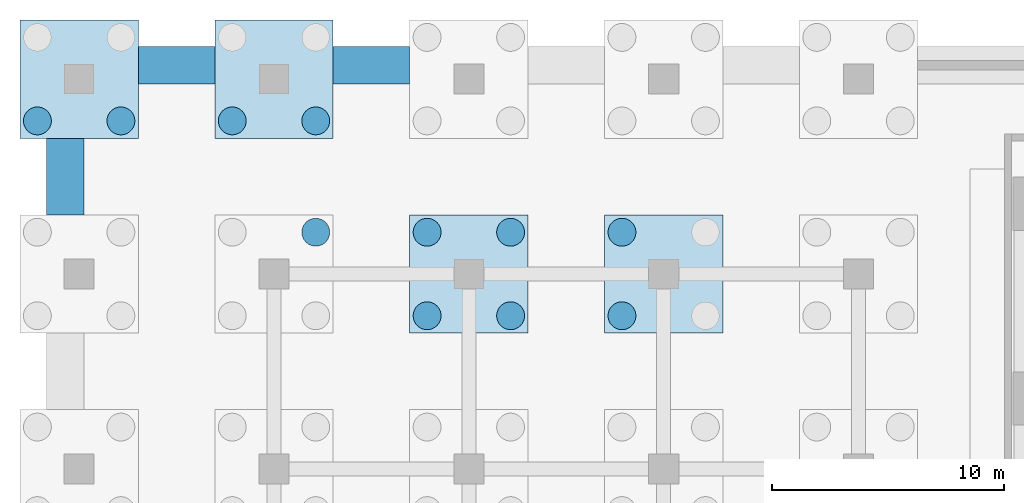
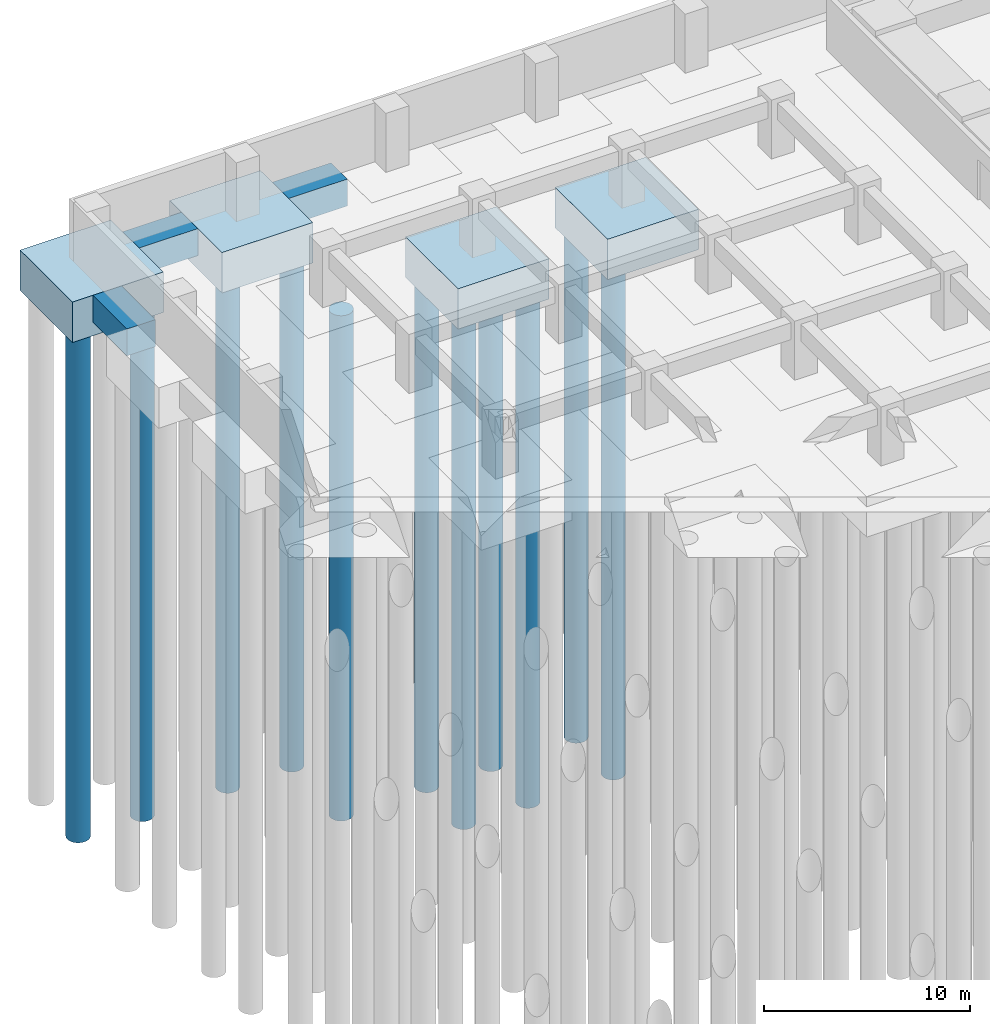
# One storey, part 35 of 73: 11 piles, 7 footings.
"""IFC4 building model written with IfcOpenShell, lengths in metres."""

from ifc_helpers import new_model, si_unit, direction, frame, origin, origin_2d, place, context, subcontext, project, spatial, polyline, circle, outline, extrude, material, material_profile, profile_set, type_object, element, save


model = new_model("IFC4")

# Units and contexts
model_context = context("Model", 3, precision=1e-05, world=origin(), true_north=direction((0.0, 1.0)))
body_context = subcontext(model_context, "Body", "Model", "MODEL_VIEW")
ifc_project = project(units=[si_unit("LENGTHUNIT", "METRE"), si_unit("AREAUNIT", "SQUARE_METRE"), si_unit("VOLUMEUNIT", "CUBIC_METRE"), si_unit("PLANEANGLEUNIT", "RADIAN"), si_unit("MASSUNIT", "GRAM", prefix="KILO")], contexts=[model_context])

# Site, building, storey
site_placement = place(None, origin())
site = spatial("IfcSite", under=ifc_project, at=site_placement, CompositionType="ELEMENT")
building_placement = place(site_placement, origin())
building = spatial("IfcBuilding", under=site, at=building_placement, Name="Impinga Residences", CompositionType="ELEMENT")
storey_placement = place(building_placement, frame((0.0, 0.0, -10.5)))
storey = spatial("IfcBuildingStorey", under=building, at=storey_placement, Name="B3", CompositionType="ELEMENT", Elevation=-10.5)

# Piles
ifc_material_1 = material(Name="Concrete C35/45", Category="concrete")
ifc_material_profile = material_profile(ifc_material_1, circle(Radius=0.60009765625, at=origin_2d()), Name="D1200")
ifc_profile_set = profile_set([ifc_material_profile], Name="Concrete C35/45")
pile_type = type_object("IfcPileType", Name="BP2 bored pile D1200", PredefinedType="BORED", material=ifc_profile_set)
pile_1_placement = place(storey_placement, frame((-52.199951171875, 48.60009765625, -2.39990234375), z_axis=(0.0, 0.0, -1.0), x_axis=(1.0, 0.0, 0.0)))
element("IfcPile", 1, at=pile_1_placement, inside=storey, type_object=pile_type, Name="Cap pile BP2 1/M-1", PredefinedType="BORED", context=body_context, shape_type="SweptSolid", body=[
    extrude(outline(polyline([(0.60009765625, 0.0), (0.59716796875, 0.058837890625), (0.58837890625, 0.116943359375), (0.57421875, 0.174072265625), (0.554443359375, 0.2294921875), (0.529052734375, 0.282958984375), (0.498779296875, 0.333251953125), (0.4638671875, 0.380615234375), (0.42431640625, 0.42431640625), (0.380615234375, 0.4638671875), (0.333251953125, 0.498779296875), (0.282958984375, 0.529052734375), (0.2294921875, 0.554443359375), (0.174072265625, 0.57421875), (0.116943359375, 0.58837890625), (0.058837890625, 0.59716796875), (0.0, 0.60009765625), (-0.058837890625, 0.59716796875), (-0.116943359375, 0.58837890625), (-0.174072265625, 0.57421875), (-0.2294921875, 0.554443359375), (-0.282958984375, 0.529052734375), (-0.333251953125, 0.498779296875), (-0.380615234375, 0.4638671875), (-0.42431640625, 0.42431640625), (-0.4638671875, 0.380615234375), (-0.498779296875, 0.333251953125), (-0.529052734375, 0.282958984375), (-0.554443359375, 0.2294921875), (-0.57421875, 0.174072265625), (-0.58837890625, 0.116943359375), (-0.59716796875, 0.058837890625), (-0.60009765625, 0.0), (-0.59716796875, -0.058837890625), (-0.58837890625, -0.116943359375), (-0.57421875, -0.174072265625), (-0.554443359375, -0.2294921875), (-0.529052734375, -0.282958984375), (-0.498779296875, -0.333251953125), (-0.4638671875, -0.380615234375), (-0.42431640625, -0.42431640625), (-0.380615234375, -0.4638671875), (-0.333251953125, -0.498779296875), (-0.282958984375, -0.529052734375), (-0.2294921875, -0.554443359375), (-0.174072265625, -0.57421875), (-0.116943359375, -0.58837890625), (-0.058837890625, -0.59716796875), (0.0, -0.60009765625), (0.058837890625, -0.59716796875), (0.116943359375, -0.58837890625), (0.174072265625, -0.57421875), (0.2294921875, -0.554443359375), (0.282958984375, -0.529052734375), (0.333251953125, -0.498779296875), (0.380615234375, -0.4638671875), (0.42431640625, -0.42431640625), (0.4638671875, -0.380615234375), (0.498779296875, -0.333251953125), (0.529052734375, -0.282958984375), (0.554443359375, -0.2294921875), (0.57421875, -0.174072265625), (0.58837890625, -0.116943359375), (0.59716796875, -0.058837890625), (0.60009765625, 0.0)])), origin(), (0.0, 0.0, 1.0), 30.0),
])
pile_2_placement = place(storey_placement, frame((-48.60009765625, 48.60009765625, -2.39990234375), z_axis=(0.0, 0.0, -1.0), x_axis=(1.0, 0.0, 0.0)))
element("IfcPile", 2, at=pile_2_placement, inside=storey, type_object=pile_type, Name="Cap pile BP2 1/M-2", PredefinedType="BORED", context=body_context, shape_type="SweptSolid", body=[
    extrude(outline(polyline([(0.60009765625, 0.0), (0.59716796875, 0.058837890625), (0.58837890625, 0.116943359375), (0.57421875, 0.174072265625), (0.554443359375, 0.2294921875), (0.529052734375, 0.282958984375), (0.498779296875, 0.333251953125), (0.4638671875, 0.380615234375), (0.42431640625, 0.42431640625), (0.380615234375, 0.4638671875), (0.333251953125, 0.498779296875), (0.282958984375, 0.529052734375), (0.2294921875, 0.554443359375), (0.174072265625, 0.57421875), (0.116943359375, 0.58837890625), (0.058837890625, 0.59716796875), (0.0, 0.60009765625), (-0.058837890625, 0.59716796875), (-0.116943359375, 0.58837890625), (-0.174072265625, 0.57421875), (-0.2294921875, 0.554443359375), (-0.282958984375, 0.529052734375), (-0.333251953125, 0.498779296875), (-0.380615234375, 0.4638671875), (-0.42431640625, 0.42431640625), (-0.4638671875, 0.380615234375), (-0.498779296875, 0.333251953125), (-0.529052734375, 0.282958984375), (-0.554443359375, 0.2294921875), (-0.57421875, 0.174072265625), (-0.58837890625, 0.116943359375), (-0.59716796875, 0.058837890625), (-0.60009765625, 0.0), (-0.59716796875, -0.058837890625), (-0.58837890625, -0.116943359375), (-0.57421875, -0.174072265625), (-0.554443359375, -0.2294921875), (-0.529052734375, -0.282958984375), (-0.498779296875, -0.333251953125), (-0.4638671875, -0.380615234375), (-0.42431640625, -0.42431640625), (-0.380615234375, -0.4638671875), (-0.333251953125, -0.498779296875), (-0.282958984375, -0.529052734375), (-0.2294921875, -0.554443359375), (-0.174072265625, -0.57421875), (-0.116943359375, -0.58837890625), (-0.058837890625, -0.59716796875), (0.0, -0.60009765625), (0.058837890625, -0.59716796875), (0.116943359375, -0.58837890625), (0.174072265625, -0.57421875), (0.2294921875, -0.554443359375), (0.282958984375, -0.529052734375), (0.333251953125, -0.498779296875), (0.380615234375, -0.4638671875), (0.42431640625, -0.42431640625), (0.4638671875, -0.380615234375), (0.498779296875, -0.333251953125), (0.529052734375, -0.282958984375), (0.554443359375, -0.2294921875), (0.57421875, -0.174072265625), (0.58837890625, -0.116943359375), (0.59716796875, -0.058837890625), (0.60009765625, 0.0)])), origin(), (0.0, 0.0, 1.0), 30.0),
])
pile_3_placement = place(storey_placement, frame((-40.199951171875, 43.800048828125, -2.39990234375), z_axis=(0.0, 0.0, -1.0), x_axis=(1.0, 0.0, 0.0)))
element("IfcPile", 3, at=pile_3_placement, inside=storey, type_object=pile_type, Name="Cap pile BP2 2/L-3", PredefinedType="BORED", context=body_context, shape_type="SweptSolid", body=[
    extrude(outline(polyline([(0.60009765625, 0.0), (0.59716796875, 0.058837890625), (0.58837890625, 0.116943359375), (0.57421875, 0.174072265625), (0.554443359375, 0.2294921875), (0.529052734375, 0.282958984375), (0.498779296875, 0.333251953125), (0.4638671875, 0.380615234375), (0.42431640625, 0.42431640625), (0.380615234375, 0.4638671875), (0.333251953125, 0.498779296875), (0.282958984375, 0.529052734375), (0.2294921875, 0.554443359375), (0.174072265625, 0.57421875), (0.116943359375, 0.58837890625), (0.058837890625, 0.59716796875), (0.0, 0.60009765625), (-0.058837890625, 0.59716796875), (-0.116943359375, 0.58837890625), (-0.174072265625, 0.57421875), (-0.2294921875, 0.554443359375), (-0.282958984375, 0.529052734375), (-0.333251953125, 0.498779296875), (-0.380615234375, 0.4638671875), (-0.42431640625, 0.42431640625), (-0.4638671875, 0.380615234375), (-0.498779296875, 0.333251953125), (-0.529052734375, 0.282958984375), (-0.554443359375, 0.2294921875), (-0.57421875, 0.174072265625), (-0.58837890625, 0.116943359375), (-0.59716796875, 0.058837890625), (-0.60009765625, 0.0), (-0.59716796875, -0.058837890625), (-0.58837890625, -0.116943359375), (-0.57421875, -0.174072265625), (-0.554443359375, -0.2294921875), (-0.529052734375, -0.282958984375), (-0.498779296875, -0.333251953125), (-0.4638671875, -0.380615234375), (-0.42431640625, -0.42431640625), (-0.380615234375, -0.4638671875), (-0.333251953125, -0.498779296875), (-0.282958984375, -0.529052734375), (-0.2294921875, -0.554443359375), (-0.174072265625, -0.57421875), (-0.116943359375, -0.58837890625), (-0.058837890625, -0.59716796875), (0.0, -0.60009765625), (0.058837890625, -0.59716796875), (0.116943359375, -0.58837890625), (0.174072265625, -0.57421875), (0.2294921875, -0.554443359375), (0.282958984375, -0.529052734375), (0.333251953125, -0.498779296875), (0.380615234375, -0.4638671875), (0.42431640625, -0.42431640625), (0.4638671875, -0.380615234375), (0.498779296875, -0.333251953125), (0.529052734375, -0.282958984375), (0.554443359375, -0.2294921875), (0.57421875, -0.174072265625), (0.58837890625, -0.116943359375), (0.59716796875, -0.058837890625), (0.60009765625, 0.0)])), origin(), (0.0, 0.0, 1.0), 30.0),
])
pile_4_placement = place(storey_placement, frame((-43.800048828125, 48.60009765625, -2.39990234375), z_axis=(0.0, 0.0, -1.0), x_axis=(1.0, 0.0, 0.0)))
element("IfcPile", 4, at=pile_4_placement, inside=storey, type_object=pile_type, Name="Cap pile BP2 2/M-1", PredefinedType="BORED", context=body_context, shape_type="SweptSolid", body=[
    extrude(outline(polyline([(0.60009765625, 0.0), (0.59716796875, 0.058837890625), (0.58837890625, 0.116943359375), (0.57421875, 0.174072265625), (0.554443359375, 0.2294921875), (0.529052734375, 0.282958984375), (0.498779296875, 0.333251953125), (0.4638671875, 0.380615234375), (0.42431640625, 0.42431640625), (0.380615234375, 0.4638671875), (0.333251953125, 0.498779296875), (0.282958984375, 0.529052734375), (0.2294921875, 0.554443359375), (0.174072265625, 0.57421875), (0.116943359375, 0.58837890625), (0.058837890625, 0.59716796875), (0.0, 0.60009765625), (-0.058837890625, 0.59716796875), (-0.116943359375, 0.58837890625), (-0.174072265625, 0.57421875), (-0.2294921875, 0.554443359375), (-0.282958984375, 0.529052734375), (-0.333251953125, 0.498779296875), (-0.380615234375, 0.4638671875), (-0.42431640625, 0.42431640625), (-0.4638671875, 0.380615234375), (-0.498779296875, 0.333251953125), (-0.529052734375, 0.282958984375), (-0.554443359375, 0.2294921875), (-0.57421875, 0.174072265625), (-0.58837890625, 0.116943359375), (-0.59716796875, 0.058837890625), (-0.60009765625, 0.0), (-0.59716796875, -0.058837890625), (-0.58837890625, -0.116943359375), (-0.57421875, -0.174072265625), (-0.554443359375, -0.2294921875), (-0.529052734375, -0.282958984375), (-0.498779296875, -0.333251953125), (-0.4638671875, -0.380615234375), (-0.42431640625, -0.42431640625), (-0.380615234375, -0.4638671875), (-0.333251953125, -0.498779296875), (-0.282958984375, -0.529052734375), (-0.2294921875, -0.554443359375), (-0.174072265625, -0.57421875), (-0.116943359375, -0.58837890625), (-0.058837890625, -0.59716796875), (0.0, -0.60009765625), (0.058837890625, -0.59716796875), (0.116943359375, -0.58837890625), (0.174072265625, -0.57421875), (0.2294921875, -0.554443359375), (0.282958984375, -0.529052734375), (0.333251953125, -0.498779296875), (0.380615234375, -0.4638671875), (0.42431640625, -0.42431640625), (0.4638671875, -0.380615234375), (0.498779296875, -0.333251953125), (0.529052734375, -0.282958984375), (0.554443359375, -0.2294921875), (0.57421875, -0.174072265625), (0.58837890625, -0.116943359375), (0.59716796875, -0.058837890625), (0.60009765625, 0.0)])), origin(), (0.0, 0.0, 1.0), 30.0),
])
pile_5_placement = place(storey_placement, frame((-40.199951171875, 48.60009765625, -2.39990234375), z_axis=(0.0, 0.0, -1.0), x_axis=(1.0, 0.0, 0.0)))
element("IfcPile", 5, at=pile_5_placement, inside=storey, type_object=pile_type, Name="Cap pile BP2 2/M-2", PredefinedType="BORED", context=body_context, shape_type="SweptSolid", body=[
    extrude(outline(polyline([(0.60009765625, 0.0), (0.59716796875, 0.058837890625), (0.58837890625, 0.116943359375), (0.57421875, 0.174072265625), (0.554443359375, 0.2294921875), (0.529052734375, 0.282958984375), (0.498779296875, 0.333251953125), (0.4638671875, 0.380615234375), (0.42431640625, 0.42431640625), (0.380615234375, 0.4638671875), (0.333251953125, 0.498779296875), (0.282958984375, 0.529052734375), (0.2294921875, 0.554443359375), (0.174072265625, 0.57421875), (0.116943359375, 0.58837890625), (0.058837890625, 0.59716796875), (0.0, 0.60009765625), (-0.058837890625, 0.59716796875), (-0.116943359375, 0.58837890625), (-0.174072265625, 0.57421875), (-0.2294921875, 0.554443359375), (-0.282958984375, 0.529052734375), (-0.333251953125, 0.498779296875), (-0.380615234375, 0.4638671875), (-0.42431640625, 0.42431640625), (-0.4638671875, 0.380615234375), (-0.498779296875, 0.333251953125), (-0.529052734375, 0.282958984375), (-0.554443359375, 0.2294921875), (-0.57421875, 0.174072265625), (-0.58837890625, 0.116943359375), (-0.59716796875, 0.058837890625), (-0.60009765625, 0.0), (-0.59716796875, -0.058837890625), (-0.58837890625, -0.116943359375), (-0.57421875, -0.174072265625), (-0.554443359375, -0.2294921875), (-0.529052734375, -0.282958984375), (-0.498779296875, -0.333251953125), (-0.4638671875, -0.380615234375), (-0.42431640625, -0.42431640625), (-0.380615234375, -0.4638671875), (-0.333251953125, -0.498779296875), (-0.282958984375, -0.529052734375), (-0.2294921875, -0.554443359375), (-0.174072265625, -0.57421875), (-0.116943359375, -0.58837890625), (-0.058837890625, -0.59716796875), (0.0, -0.60009765625), (0.058837890625, -0.59716796875), (0.116943359375, -0.58837890625), (0.174072265625, -0.57421875), (0.2294921875, -0.554443359375), (0.282958984375, -0.529052734375), (0.333251953125, -0.498779296875), (0.380615234375, -0.4638671875), (0.42431640625, -0.42431640625), (0.4638671875, -0.380615234375), (0.498779296875, -0.333251953125), (0.529052734375, -0.282958984375), (0.554443359375, -0.2294921875), (0.57421875, -0.174072265625), (0.58837890625, -0.116943359375), (0.59716796875, -0.058837890625), (0.60009765625, 0.0)])), origin(), (0.0, 0.0, 1.0), 30.0),
])
pile_6_placement = place(storey_placement, frame((-35.39990234375, 40.199951171875, -2.39990234375), z_axis=(0.0, 0.0, -1.0), x_axis=(1.0, 0.0, 0.0)))
element("IfcPile", 6, at=pile_6_placement, inside=storey, type_object=pile_type, Name="Cap pile BP2 3/L-1", PredefinedType="BORED", context=body_context, shape_type="SweptSolid", body=[
    extrude(outline(polyline([(0.60009765625, 0.0), (0.59716796875, 0.058837890625), (0.58837890625, 0.116943359375), (0.57421875, 0.174072265625), (0.554443359375, 0.2294921875), (0.529052734375, 0.282958984375), (0.498779296875, 0.333251953125), (0.4638671875, 0.380615234375), (0.42431640625, 0.42431640625), (0.380615234375, 0.4638671875), (0.333251953125, 0.498779296875), (0.282958984375, 0.529052734375), (0.2294921875, 0.554443359375), (0.174072265625, 0.57421875), (0.116943359375, 0.58837890625), (0.058837890625, 0.59716796875), (0.0, 0.60009765625), (-0.058837890625, 0.59716796875), (-0.116943359375, 0.58837890625), (-0.174072265625, 0.57421875), (-0.2294921875, 0.554443359375), (-0.282958984375, 0.529052734375), (-0.333251953125, 0.498779296875), (-0.380615234375, 0.4638671875), (-0.42431640625, 0.42431640625), (-0.4638671875, 0.380615234375), (-0.498779296875, 0.333251953125), (-0.529052734375, 0.282958984375), (-0.554443359375, 0.2294921875), (-0.57421875, 0.174072265625), (-0.58837890625, 0.116943359375), (-0.59716796875, 0.058837890625), (-0.60009765625, 0.0), (-0.59716796875, -0.058837890625), (-0.58837890625, -0.116943359375), (-0.57421875, -0.174072265625), (-0.554443359375, -0.2294921875), (-0.529052734375, -0.282958984375), (-0.498779296875, -0.333251953125), (-0.4638671875, -0.380615234375), (-0.42431640625, -0.42431640625), (-0.380615234375, -0.4638671875), (-0.333251953125, -0.498779296875), (-0.282958984375, -0.529052734375), (-0.2294921875, -0.554443359375), (-0.174072265625, -0.57421875), (-0.116943359375, -0.58837890625), (-0.058837890625, -0.59716796875), (0.0, -0.60009765625), (0.058837890625, -0.59716796875), (0.116943359375, -0.58837890625), (0.174072265625, -0.57421875), (0.2294921875, -0.554443359375), (0.282958984375, -0.529052734375), (0.333251953125, -0.498779296875), (0.380615234375, -0.4638671875), (0.42431640625, -0.42431640625), (0.4638671875, -0.380615234375), (0.498779296875, -0.333251953125), (0.529052734375, -0.282958984375), (0.554443359375, -0.2294921875), (0.57421875, -0.174072265625), (0.58837890625, -0.116943359375), (0.59716796875, -0.058837890625), (0.60009765625, 0.0)])), origin(), (0.0, 0.0, 1.0), 30.0),
])
pile_7_placement = place(storey_placement, frame((-31.800048828125, 40.199951171875, -2.39990234375), z_axis=(0.0, 0.0, -1.0), x_axis=(1.0, 0.0, 0.0)))
element("IfcPile", 7, at=pile_7_placement, inside=storey, type_object=pile_type, Name="Cap pile BP2 3/L-2", PredefinedType="BORED", context=body_context, shape_type="SweptSolid", body=[
    extrude(outline(polyline([(0.60009765625, 0.0), (0.59716796875, 0.058837890625), (0.58837890625, 0.116943359375), (0.57421875, 0.174072265625), (0.554443359375, 0.2294921875), (0.529052734375, 0.282958984375), (0.498779296875, 0.333251953125), (0.4638671875, 0.380615234375), (0.42431640625, 0.42431640625), (0.380615234375, 0.4638671875), (0.333251953125, 0.498779296875), (0.282958984375, 0.529052734375), (0.2294921875, 0.554443359375), (0.174072265625, 0.57421875), (0.116943359375, 0.58837890625), (0.058837890625, 0.59716796875), (0.0, 0.60009765625), (-0.058837890625, 0.59716796875), (-0.116943359375, 0.58837890625), (-0.174072265625, 0.57421875), (-0.2294921875, 0.554443359375), (-0.282958984375, 0.529052734375), (-0.333251953125, 0.498779296875), (-0.380615234375, 0.4638671875), (-0.42431640625, 0.42431640625), (-0.4638671875, 0.380615234375), (-0.498779296875, 0.333251953125), (-0.529052734375, 0.282958984375), (-0.554443359375, 0.2294921875), (-0.57421875, 0.174072265625), (-0.58837890625, 0.116943359375), (-0.59716796875, 0.058837890625), (-0.60009765625, 0.0), (-0.59716796875, -0.058837890625), (-0.58837890625, -0.116943359375), (-0.57421875, -0.174072265625), (-0.554443359375, -0.2294921875), (-0.529052734375, -0.282958984375), (-0.498779296875, -0.333251953125), (-0.4638671875, -0.380615234375), (-0.42431640625, -0.42431640625), (-0.380615234375, -0.4638671875), (-0.333251953125, -0.498779296875), (-0.282958984375, -0.529052734375), (-0.2294921875, -0.554443359375), (-0.174072265625, -0.57421875), (-0.116943359375, -0.58837890625), (-0.058837890625, -0.59716796875), (0.0, -0.60009765625), (0.058837890625, -0.59716796875), (0.116943359375, -0.58837890625), (0.174072265625, -0.57421875), (0.2294921875, -0.554443359375), (0.282958984375, -0.529052734375), (0.333251953125, -0.498779296875), (0.380615234375, -0.4638671875), (0.42431640625, -0.42431640625), (0.4638671875, -0.380615234375), (0.498779296875, -0.333251953125), (0.529052734375, -0.282958984375), (0.554443359375, -0.2294921875), (0.57421875, -0.174072265625), (0.58837890625, -0.116943359375), (0.59716796875, -0.058837890625), (0.60009765625, 0.0)])), origin(), (0.0, 0.0, 1.0), 30.0),
])
pile_8_placement = place(storey_placement, frame((-31.800048828125, 43.800048828125, -2.39990234375), z_axis=(0.0, 0.0, -1.0), x_axis=(1.0, 0.0, 0.0)))
element("IfcPile", 8, at=pile_8_placement, inside=storey, type_object=pile_type, Name="Cap pile BP2 3/L-3", PredefinedType="BORED", context=body_context, shape_type="SweptSolid", body=[
    extrude(outline(polyline([(0.60009765625, 0.0), (0.59716796875, 0.058837890625), (0.58837890625, 0.116943359375), (0.57421875, 0.174072265625), (0.554443359375, 0.2294921875), (0.529052734375, 0.282958984375), (0.498779296875, 0.333251953125), (0.4638671875, 0.380615234375), (0.42431640625, 0.42431640625), (0.380615234375, 0.4638671875), (0.333251953125, 0.498779296875), (0.282958984375, 0.529052734375), (0.2294921875, 0.554443359375), (0.174072265625, 0.57421875), (0.116943359375, 0.58837890625), (0.058837890625, 0.59716796875), (0.0, 0.60009765625), (-0.058837890625, 0.59716796875), (-0.116943359375, 0.58837890625), (-0.174072265625, 0.57421875), (-0.2294921875, 0.554443359375), (-0.282958984375, 0.529052734375), (-0.333251953125, 0.498779296875), (-0.380615234375, 0.4638671875), (-0.42431640625, 0.42431640625), (-0.4638671875, 0.380615234375), (-0.498779296875, 0.333251953125), (-0.529052734375, 0.282958984375), (-0.554443359375, 0.2294921875), (-0.57421875, 0.174072265625), (-0.58837890625, 0.116943359375), (-0.59716796875, 0.058837890625), (-0.60009765625, 0.0), (-0.59716796875, -0.058837890625), (-0.58837890625, -0.116943359375), (-0.57421875, -0.174072265625), (-0.554443359375, -0.2294921875), (-0.529052734375, -0.282958984375), (-0.498779296875, -0.333251953125), (-0.4638671875, -0.380615234375), (-0.42431640625, -0.42431640625), (-0.380615234375, -0.4638671875), (-0.333251953125, -0.498779296875), (-0.282958984375, -0.529052734375), (-0.2294921875, -0.554443359375), (-0.174072265625, -0.57421875), (-0.116943359375, -0.58837890625), (-0.058837890625, -0.59716796875), (0.0, -0.60009765625), (0.058837890625, -0.59716796875), (0.116943359375, -0.58837890625), (0.174072265625, -0.57421875), (0.2294921875, -0.554443359375), (0.282958984375, -0.529052734375), (0.333251953125, -0.498779296875), (0.380615234375, -0.4638671875), (0.42431640625, -0.42431640625), (0.4638671875, -0.380615234375), (0.498779296875, -0.333251953125), (0.529052734375, -0.282958984375), (0.554443359375, -0.2294921875), (0.57421875, -0.174072265625), (0.58837890625, -0.116943359375), (0.59716796875, -0.058837890625), (0.60009765625, 0.0)])), origin(), (0.0, 0.0, 1.0), 30.0),
])
pile_9_placement = place(storey_placement, frame((-35.39990234375, 43.800048828125, -2.39990234375), z_axis=(0.0, 0.0, -1.0), x_axis=(1.0, 0.0, 0.0)))
element("IfcPile", 9, at=pile_9_placement, inside=storey, type_object=pile_type, Name="Cap pile BP2 3/L-4", PredefinedType="BORED", context=body_context, shape_type="SweptSolid", body=[
    extrude(outline(polyline([(0.60009765625, 0.0), (0.59716796875, 0.058837890625), (0.58837890625, 0.116943359375), (0.57421875, 0.174072265625), (0.554443359375, 0.2294921875), (0.529052734375, 0.282958984375), (0.498779296875, 0.333251953125), (0.4638671875, 0.380615234375), (0.42431640625, 0.42431640625), (0.380615234375, 0.4638671875), (0.333251953125, 0.498779296875), (0.282958984375, 0.529052734375), (0.2294921875, 0.554443359375), (0.174072265625, 0.57421875), (0.116943359375, 0.58837890625), (0.058837890625, 0.59716796875), (0.0, 0.60009765625), (-0.058837890625, 0.59716796875), (-0.116943359375, 0.58837890625), (-0.174072265625, 0.57421875), (-0.2294921875, 0.554443359375), (-0.282958984375, 0.529052734375), (-0.333251953125, 0.498779296875), (-0.380615234375, 0.4638671875), (-0.42431640625, 0.42431640625), (-0.4638671875, 0.380615234375), (-0.498779296875, 0.333251953125), (-0.529052734375, 0.282958984375), (-0.554443359375, 0.2294921875), (-0.57421875, 0.174072265625), (-0.58837890625, 0.116943359375), (-0.59716796875, 0.058837890625), (-0.60009765625, 0.0), (-0.59716796875, -0.058837890625), (-0.58837890625, -0.116943359375), (-0.57421875, -0.174072265625), (-0.554443359375, -0.2294921875), (-0.529052734375, -0.282958984375), (-0.498779296875, -0.333251953125), (-0.4638671875, -0.380615234375), (-0.42431640625, -0.42431640625), (-0.380615234375, -0.4638671875), (-0.333251953125, -0.498779296875), (-0.282958984375, -0.529052734375), (-0.2294921875, -0.554443359375), (-0.174072265625, -0.57421875), (-0.116943359375, -0.58837890625), (-0.058837890625, -0.59716796875), (0.0, -0.60009765625), (0.058837890625, -0.59716796875), (0.116943359375, -0.58837890625), (0.174072265625, -0.57421875), (0.2294921875, -0.554443359375), (0.282958984375, -0.529052734375), (0.333251953125, -0.498779296875), (0.380615234375, -0.4638671875), (0.42431640625, -0.42431640625), (0.4638671875, -0.380615234375), (0.498779296875, -0.333251953125), (0.529052734375, -0.282958984375), (0.554443359375, -0.2294921875), (0.57421875, -0.174072265625), (0.58837890625, -0.116943359375), (0.59716796875, -0.058837890625), (0.60009765625, 0.0)])), origin(), (0.0, 0.0, 1.0), 30.0),
])
pile_10_placement = place(storey_placement, frame((-27.0, 40.199951171875, -2.39990234375), z_axis=(0.0, 0.0, -1.0), x_axis=(1.0, 0.0, 0.0)))
element("IfcPile", 10, at=pile_10_placement, inside=storey, type_object=pile_type, Name="Cap pile BP2 4/L-1", PredefinedType="BORED", context=body_context, shape_type="SweptSolid", body=[
    extrude(outline(polyline([(0.60009765625, 0.0), (0.59716796875, 0.058837890625), (0.58837890625, 0.116943359375), (0.57421875, 0.174072265625), (0.554443359375, 0.2294921875), (0.529052734375, 0.282958984375), (0.498779296875, 0.333251953125), (0.4638671875, 0.380615234375), (0.42431640625, 0.42431640625), (0.380615234375, 0.4638671875), (0.333251953125, 0.498779296875), (0.282958984375, 0.529052734375), (0.2294921875, 0.554443359375), (0.174072265625, 0.57421875), (0.116943359375, 0.58837890625), (0.058837890625, 0.59716796875), (0.0, 0.60009765625), (-0.058837890625, 0.59716796875), (-0.116943359375, 0.58837890625), (-0.174072265625, 0.57421875), (-0.2294921875, 0.554443359375), (-0.282958984375, 0.529052734375), (-0.333251953125, 0.498779296875), (-0.380615234375, 0.4638671875), (-0.42431640625, 0.42431640625), (-0.4638671875, 0.380615234375), (-0.498779296875, 0.333251953125), (-0.529052734375, 0.282958984375), (-0.554443359375, 0.2294921875), (-0.57421875, 0.174072265625), (-0.58837890625, 0.116943359375), (-0.59716796875, 0.058837890625), (-0.60009765625, 0.0), (-0.59716796875, -0.058837890625), (-0.58837890625, -0.116943359375), (-0.57421875, -0.174072265625), (-0.554443359375, -0.2294921875), (-0.529052734375, -0.282958984375), (-0.498779296875, -0.333251953125), (-0.4638671875, -0.380615234375), (-0.42431640625, -0.42431640625), (-0.380615234375, -0.4638671875), (-0.333251953125, -0.498779296875), (-0.282958984375, -0.529052734375), (-0.2294921875, -0.554443359375), (-0.174072265625, -0.57421875), (-0.116943359375, -0.58837890625), (-0.058837890625, -0.59716796875), (0.0, -0.60009765625), (0.058837890625, -0.59716796875), (0.116943359375, -0.58837890625), (0.174072265625, -0.57421875), (0.2294921875, -0.554443359375), (0.282958984375, -0.529052734375), (0.333251953125, -0.498779296875), (0.380615234375, -0.4638671875), (0.42431640625, -0.42431640625), (0.4638671875, -0.380615234375), (0.498779296875, -0.333251953125), (0.529052734375, -0.282958984375), (0.554443359375, -0.2294921875), (0.57421875, -0.174072265625), (0.58837890625, -0.116943359375), (0.59716796875, -0.058837890625), (0.60009765625, 0.0)])), origin(), (0.0, 0.0, 1.0), 30.0),
])
pile_11_placement = place(storey_placement, frame((-27.0, 43.800048828125, -2.39990234375), z_axis=(0.0, 0.0, -1.0), x_axis=(1.0, 0.0, 0.0)))
element("IfcPile", 11, at=pile_11_placement, inside=storey, type_object=pile_type, Name="Cap pile BP2 4/L-4", PredefinedType="BORED", context=body_context, shape_type="SweptSolid", body=[
    extrude(outline(polyline([(0.60009765625, 0.0), (0.59716796875, 0.058837890625), (0.58837890625, 0.116943359375), (0.57421875, 0.174072265625), (0.554443359375, 0.2294921875), (0.529052734375, 0.282958984375), (0.498779296875, 0.333251953125), (0.4638671875, 0.380615234375), (0.42431640625, 0.42431640625), (0.380615234375, 0.4638671875), (0.333251953125, 0.498779296875), (0.282958984375, 0.529052734375), (0.2294921875, 0.554443359375), (0.174072265625, 0.57421875), (0.116943359375, 0.58837890625), (0.058837890625, 0.59716796875), (0.0, 0.60009765625), (-0.058837890625, 0.59716796875), (-0.116943359375, 0.58837890625), (-0.174072265625, 0.57421875), (-0.2294921875, 0.554443359375), (-0.282958984375, 0.529052734375), (-0.333251953125, 0.498779296875), (-0.380615234375, 0.4638671875), (-0.42431640625, 0.42431640625), (-0.4638671875, 0.380615234375), (-0.498779296875, 0.333251953125), (-0.529052734375, 0.282958984375), (-0.554443359375, 0.2294921875), (-0.57421875, 0.174072265625), (-0.58837890625, 0.116943359375), (-0.59716796875, 0.058837890625), (-0.60009765625, 0.0), (-0.59716796875, -0.058837890625), (-0.58837890625, -0.116943359375), (-0.57421875, -0.174072265625), (-0.554443359375, -0.2294921875), (-0.529052734375, -0.282958984375), (-0.498779296875, -0.333251953125), (-0.4638671875, -0.380615234375), (-0.42431640625, -0.42431640625), (-0.380615234375, -0.4638671875), (-0.333251953125, -0.498779296875), (-0.282958984375, -0.529052734375), (-0.2294921875, -0.554443359375), (-0.174072265625, -0.57421875), (-0.116943359375, -0.58837890625), (-0.058837890625, -0.59716796875), (0.0, -0.60009765625), (0.058837890625, -0.59716796875), (0.116943359375, -0.58837890625), (0.174072265625, -0.57421875), (0.2294921875, -0.554443359375), (0.282958984375, -0.529052734375), (0.333251953125, -0.498779296875), (0.380615234375, -0.4638671875), (0.42431640625, -0.42431640625), (0.4638671875, -0.380615234375), (0.498779296875, -0.333251953125), (0.529052734375, -0.282958984375), (0.554443359375, -0.2294921875), (0.57421875, -0.174072265625), (0.58837890625, -0.116943359375), (0.59716796875, -0.058837890625), (0.60009765625, 0.0)])), origin(), (0.0, 0.0, 1.0), 30.0),
])

# Footings
ifc_material_2 = material(Name="Concrete C45/55", Category="concrete")
footing_type_1 = type_object("IfcFootingType", Name="PC4 four-pile cap 5100 square 2400 deep", PredefinedType="PILE_CAP", material=ifc_material_2)
footing_1_placement = place(storey_placement, frame((0.0, 0.0, -2.39990234375)))
element("IfcFooting", 12, at=footing_1_placement, inside=storey, type_object=footing_type_1, Name="Pile cap PC4 1/M", PredefinedType="PILE_CAP", context=body_context, shape_type="SweptSolid", body=[
    extrude(outline(polyline([(-47.85009765625, 47.85009765625), (-47.85009765625, 52.949951171875), (-52.949951171875, 52.949951171875), (-52.949951171875, 47.85009765625), (-47.85009765625, 47.85009765625)])), origin(), (0.0, 0.0, 1.0), 2.39990234375),
])
footing_2_placement = place(storey_placement, frame((0.0, 0.0, -2.39990234375)))
element("IfcFooting", 13, at=footing_2_placement, inside=storey, type_object=footing_type_1, Name="Pile cap PC4 2/M", PredefinedType="PILE_CAP", context=body_context, shape_type="SweptSolid", body=[
    extrude(outline(polyline([(-39.449951171875, 47.85009765625), (-39.449951171875, 52.949951171875), (-44.550048828125, 52.949951171875), (-44.550048828125, 47.85009765625), (-39.449951171875, 47.85009765625)])), origin(), (0.0, 0.0, 1.0), 2.39990234375),
])
footing_3_placement = place(storey_placement, frame((0.0, 0.0, -2.39990234375)))
element("IfcFooting", 14, at=footing_3_placement, inside=storey, type_object=footing_type_1, Name="Pile cap PC4 3/L", PredefinedType="PILE_CAP", context=body_context, shape_type="SweptSolid", body=[
    extrude(outline(polyline([(-31.050048828125, 39.449951171875), (-31.050048828125, 44.550048828125), (-36.14990234375, 44.550048828125), (-36.14990234375, 39.449951171875), (-31.050048828125, 39.449951171875)])), origin(), (0.0, 0.0, 1.0), 2.39990234375),
])
footing_4_placement = place(storey_placement, frame((0.0, 0.0, -2.39990234375)))
element("IfcFooting", 15, at=footing_4_placement, inside=storey, type_object=footing_type_1, Name="Pile cap PC4 4/L", PredefinedType="PILE_CAP", context=body_context, shape_type="SweptSolid", body=[
    extrude(outline(polyline([(-22.64990234375, 39.449951171875), (-22.64990234375, 44.550048828125), (-27.75, 44.550048828125), (-27.75, 39.449951171875), (-22.64990234375, 39.449951171875)])), origin(), (0.0, 0.0, 1.0), 2.39990234375),
])
footing_type_2 = type_object("IfcFootingType", Name="SF1 strip footing 1600 wide 1600 deep", PredefinedType="STRIP_FOOTING", material=ifc_material_2)
footing_5_placement = place(storey_placement, frame((0.0, 0.0, -1.60009765625)))
element("IfcFooting", 16, at=footing_5_placement, inside=storey, type_object=footing_type_2, Name="Strip footing SF1 N 8", PredefinedType="STRIP_FOOTING", context=body_context, shape_type="SweptSolid", body=[
    extrude(outline(polyline([(-39.449951171875, 50.199951171875), (-39.449951171875, 51.800048828125), (-36.14990234375, 51.800048828125), (-36.14990234375, 50.199951171875), (-39.449951171875, 50.199951171875)])), origin(), (0.0, 0.0, 1.0), 1.60009765625),
])
footing_6_placement = place(storey_placement, frame((0.0, 0.0, -1.60009765625)))
element("IfcFooting", 17, at=footing_6_placement, inside=storey, type_object=footing_type_2, Name="Strip footing SF1 N 9", PredefinedType="STRIP_FOOTING", context=body_context, shape_type="SweptSolid", body=[
    extrude(outline(polyline([(-47.85009765625, 50.199951171875), (-47.85009765625, 51.800048828125), (-44.550048828125, 51.800048828125), (-44.550048828125, 50.199951171875), (-47.85009765625, 50.199951171875)])), origin(), (0.0, 0.0, 1.0), 1.60009765625),
])
footing_7_placement = place(storey_placement, frame((0.0, 0.0, -1.60009765625)))
element("IfcFooting", 18, at=footing_7_placement, inside=storey, type_object=footing_type_2, Name="Strip footing SF1 W 1", PredefinedType="STRIP_FOOTING", context=body_context, shape_type="SweptSolid", body=[
    extrude(outline(polyline([(-50.199951171875, 44.550048828125), (-51.800048828125, 44.550048828125), (-51.800048828125, 47.85009765625), (-50.199951171875, 47.85009765625), (-50.199951171875, 44.550048828125)])), origin(), (0.0, 0.0, 1.0), 1.60009765625),
])

save(model, "model.ifc")
